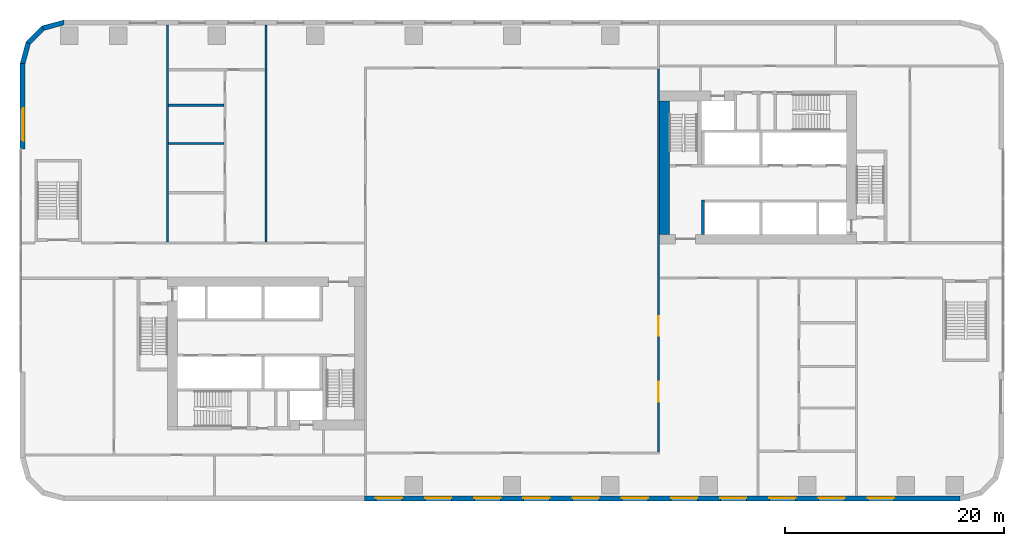
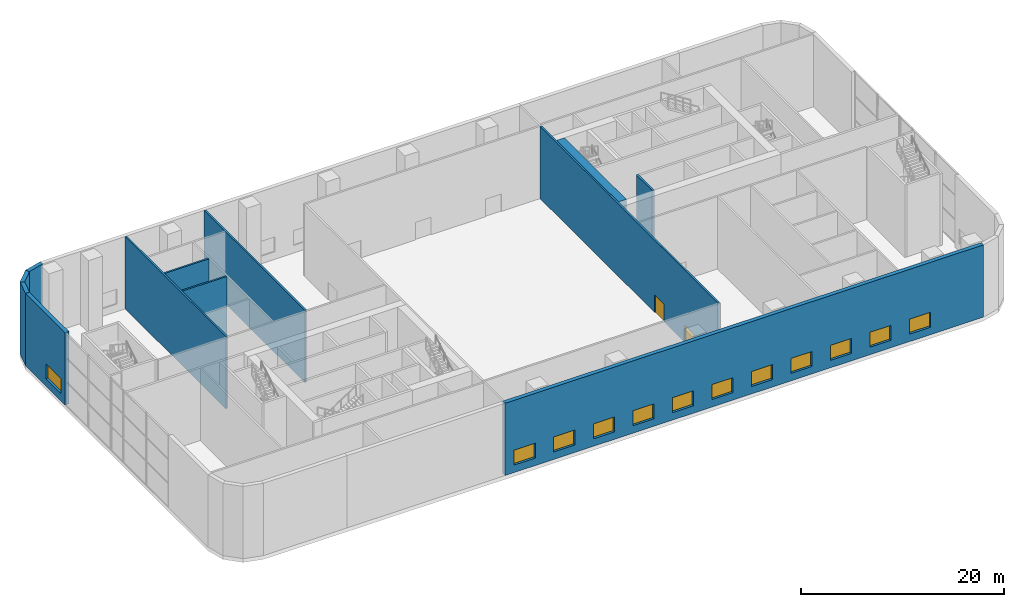
# One storey, part 8 of 24: 12 walls, 12 windows, 2 doors, 14 openings.
"""IFC4 building model written with IfcOpenShell, lengths in metres."""

from ifc_helpers import new_model, si_unit, direction, frame, frame_2d, origin, place, context, subcontext, project, spatial, polyline, rectangle, outline, extrude, material, layer, layer_set, type_object, element, fill, save


model = new_model("IFC4")

# Units and contexts
model_context = context("Model", 3, precision=1e-05, world=origin(), true_north=direction((0.0, 1.0)))
body_context = subcontext(model_context, "Body", "Model", "MODEL_VIEW")
ifc_project = project(units=[si_unit("LENGTHUNIT", "METRE"), si_unit("AREAUNIT", "SQUARE_METRE"), si_unit("VOLUMEUNIT", "CUBIC_METRE"), si_unit("PLANEANGLEUNIT", "RADIAN"), si_unit("MASSUNIT", "GRAM", prefix="KILO")], contexts=[model_context])

# Site, building, storey
site_placement = place(None, origin())
site = spatial("IfcSite", under=ifc_project, at=site_placement, CompositionType="ELEMENT")
building_placement = place(site_placement, origin())
building = spatial("IfcBuilding", under=site, at=building_placement, Name="Kajstack Hotel Tower", CompositionType="ELEMENT")
storey_placement = place(building_placement, frame((0.0, 0.0, 38.0)))
storey = spatial("IfcBuildingStorey", under=building, at=storey_placement, Name="L06", CompositionType="ELEMENT", Elevation=38.0)

# Wall
ifc_material_1 = material(Name="Concrete C60/75", Category="concrete")
ifc_layer_1 = layer(ifc_material_1, 0.89990234375)
ifc_layer_set_1 = layer_set([ifc_layer_1], Name="Core wall 900")
wall_type_1 = type_object("IfcWallType", Name="Core wall 900", PredefinedType="SHEAR", material=ifc_layer_set_1)
wall_1_placement = place(storey_placement, frame((13.949951171875, 2.39990234375, 0.0), z_axis=(0.0, 0.0, 1.0), x_axis=(0.0, 1.0, 0.0)))
element("IfcWall", 1, at=wall_1_placement, inside=storey, type_object=wall_type_1, Name="Core wall E RE", PredefinedType="SHEAR", context=body_context, shape_type="SweptSolid", body=[
    extrude(rectangle(XDim=12.2001953125, YDim=0.89990234375, at=frame_2d((6.10009765625, 0.0))), origin(), (0.0, 0.0, 1.0), 8.699951171875),
])

# Wall, openings, windows
ifc_material_2 = material(Name="Terracotta-faced brick masonry", Category="masonry")
ifc_layer_2 = layer(ifc_material_2, 0.449951171875)
ifc_layer_set_2 = layer_set([ifc_layer_2], Name="EW-TERRA")
wall_type_2 = type_object("IfcWallType", Name="EW-TERRA", PredefinedType="SOLIDWALL", material=ifc_layer_set_2)
wall_2_placement = place(storey_placement, frame((-13.5, -21.77490234375, 0.0), z_axis=(0.0, 0.0, 1.0), x_axis=(1.0, 0.0, 0.0)))
wall_2 = element("IfcWall", 2, at=wall_2_placement, inside=storey, type_object=wall_type_2, Name="E-wall-L06-03-02", PredefinedType="SOLIDWALL", context=body_context, shape_type="SweptSolid", body=[
    extrude(rectangle(XDim=54.5, YDim=0.449951171875, at=frame_2d((27.25, 0.0))), origin(), (0.0, 0.0, 1.0), 8.699951171875),
])
opening_1_placement = place(wall_2_placement, frame((1.050048828125, 0.0, 0.89990234375)))
opening_1 = element("IfcOpeningElement", 3, at=opening_1_placement, cuts=wall_2, Name="Opening W4", PredefinedType="OPENING", context=body_context, shape_type="SweptSolid", body=[
    extrude(rectangle(XDim=2.39990234375, YDim=1.800048828125, at=frame_2d((1.199951171875, 0.89990234375))), frame((0.0, 0.23486328125, 0.0), z_axis=(0.0, -1.0, 0.0), x_axis=(1.0, 0.0, 0.0)), (0.0, 0.0, 1.0), 0.469970703125),
])
opening_2_placement = place(wall_2_placement, frame((5.550048828125, 0.0, 0.89990234375)))
opening_2 = element("IfcOpeningElement", 4, at=opening_2_placement, cuts=wall_2, Name="Opening W4", PredefinedType="OPENING", context=body_context, shape_type="SweptSolid", body=[
    extrude(rectangle(XDim=2.39990234375, YDim=1.800048828125, at=frame_2d((1.199951171875, 0.89990234375))), frame((0.0, 0.23486328125, 0.0), z_axis=(0.0, -1.0, 0.0), x_axis=(1.0, 0.0, 0.0)), (0.0, 0.0, 1.0), 0.469970703125),
])
opening_3_placement = place(wall_2_placement, frame((10.050048828125, 0.0, 0.89990234375)))
opening_3 = element("IfcOpeningElement", 5, at=opening_3_placement, cuts=wall_2, Name="Opening W4", PredefinedType="OPENING", context=body_context, shape_type="SweptSolid", body=[
    extrude(rectangle(XDim=2.39990234375, YDim=1.800048828125, at=frame_2d((1.199951171875, 0.89990234375))), frame((0.0, 0.23486328125, 0.0), z_axis=(0.0, -1.0, 0.0), x_axis=(1.0, 0.0, 0.0)), (0.0, 0.0, 1.0), 0.469970703125),
])
opening_4_placement = place(wall_2_placement, frame((14.550048828125, 0.0, 0.89990234375)))
opening_4 = element("IfcOpeningElement", 6, at=opening_4_placement, cuts=wall_2, Name="Opening W4", PredefinedType="OPENING", context=body_context, shape_type="SweptSolid", body=[
    extrude(rectangle(XDim=2.39990234375, YDim=1.800048828125, at=frame_2d((1.199951171875, 0.89990234375))), frame((0.0, 0.23486328125, 0.0), z_axis=(0.0, -1.0, 0.0), x_axis=(1.0, 0.0, 0.0)), (0.0, 0.0, 1.0), 0.469970703125),
])
opening_5_placement = place(wall_2_placement, frame((19.050048828125, 0.0, 0.89990234375)))
opening_5 = element("IfcOpeningElement", 7, at=opening_5_placement, cuts=wall_2, Name="Opening W4", PredefinedType="OPENING", context=body_context, shape_type="SweptSolid", body=[
    extrude(rectangle(XDim=2.39990234375, YDim=1.800048828125, at=frame_2d((1.199951171875, 0.89990234375))), frame((0.0, 0.23486328125, 0.0), z_axis=(0.0, -1.0, 0.0), x_axis=(1.0, 0.0, 0.0)), (0.0, 0.0, 1.0), 0.469970703125),
])
opening_6_placement = place(wall_2_placement, frame((23.550048828125, 0.0, 0.89990234375)))
opening_6 = element("IfcOpeningElement", 8, at=opening_6_placement, cuts=wall_2, Name="Opening W4", PredefinedType="OPENING", context=body_context, shape_type="SweptSolid", body=[
    extrude(rectangle(XDim=2.39990234375, YDim=1.800048828125, at=frame_2d((1.199951171875, 0.89990234375))), frame((0.0, 0.23486328125, 0.0), z_axis=(0.0, -1.0, 0.0), x_axis=(1.0, 0.0, 0.0)), (0.0, 0.0, 1.0), 0.469970703125),
])
opening_7_placement = place(wall_2_placement, frame((28.050048828125, 0.0, 0.89990234375)))
opening_7 = element("IfcOpeningElement", 9, at=opening_7_placement, cuts=wall_2, Name="Opening W4", PredefinedType="OPENING", context=body_context, shape_type="SweptSolid", body=[
    extrude(rectangle(XDim=2.39990234375, YDim=1.800048828125, at=frame_2d((1.199951171875, 0.89990234375))), frame((0.0, 0.23486328125, 0.0), z_axis=(0.0, -1.0, 0.0), x_axis=(1.0, 0.0, 0.0)), (0.0, 0.0, 1.0), 0.469970703125),
])
opening_8_placement = place(wall_2_placement, frame((32.550048828125, 0.0, 0.89990234375)))
opening_8 = element("IfcOpeningElement", 10, at=opening_8_placement, cuts=wall_2, Name="Opening W4", PredefinedType="OPENING", context=body_context, shape_type="SweptSolid", body=[
    extrude(rectangle(XDim=2.39990234375, YDim=1.800048828125, at=frame_2d((1.199951171875, 0.89990234375))), frame((0.0, 0.23486328125, 0.0), z_axis=(0.0, -1.0, 0.0), x_axis=(1.0, 0.0, 0.0)), (0.0, 0.0, 1.0), 0.469970703125),
])
opening_9_placement = place(wall_2_placement, frame((37.050048828125, 0.0, 0.89990234375)))
opening_9 = element("IfcOpeningElement", 11, at=opening_9_placement, cuts=wall_2, Name="Opening W4", PredefinedType="OPENING", context=body_context, shape_type="SweptSolid", body=[
    extrude(rectangle(XDim=2.39990234375, YDim=1.800048828125, at=frame_2d((1.199951171875, 0.89990234375))), frame((0.0, 0.23486328125, 0.0), z_axis=(0.0, -1.0, 0.0), x_axis=(1.0, 0.0, 0.0)), (0.0, 0.0, 1.0), 0.469970703125),
])
opening_10_placement = place(wall_2_placement, frame((41.550048828125, 0.0, 0.89990234375)))
opening_10 = element("IfcOpeningElement", 12, at=opening_10_placement, cuts=wall_2, Name="Opening W4", PredefinedType="OPENING", context=body_context, shape_type="SweptSolid", body=[
    extrude(rectangle(XDim=2.39990234375, YDim=1.800048828125, at=frame_2d((1.199951171875, 0.89990234375))), frame((0.0, 0.23486328125, 0.0), z_axis=(0.0, -1.0, 0.0), x_axis=(1.0, 0.0, 0.0)), (0.0, 0.0, 1.0), 0.469970703125),
])
opening_11_placement = place(wall_2_placement, frame((46.050048828125, 0.0, 0.89990234375)))
opening_11 = element("IfcOpeningElement", 13, at=opening_11_placement, cuts=wall_2, Name="Opening W4", PredefinedType="OPENING", context=body_context, shape_type="SweptSolid", body=[
    extrude(rectangle(XDim=2.39990234375, YDim=1.800048828125, at=frame_2d((1.199951171875, 0.89990234375))), frame((0.0, 0.23486328125, 0.0), z_axis=(0.0, -1.0, 0.0), x_axis=(1.0, 0.0, 0.0)), (0.0, 0.0, 1.0), 0.469970703125),
])
ifc_material_3 = material(Name="Timber-aluminium window, triple glazed", Category="wood")
window_type_1 = type_object("IfcWindowType", Name="WP1", PartitioningType="SINGLE_PANEL", PredefinedType="WINDOW", material=ifc_material_3)
window_1_placement = place(opening_1_placement, origin())
window_1 = element("IfcWindow", 14, at=window_1_placement, inside=storey, type_object=window_type_1, Name="Window W4 L06-03", OverallHeight=1.800048828125, OverallWidth=2.39990234375, PartitioningType="SINGLE_PANEL", PredefinedType="WINDOW", context=body_context, shape_type="SweptSolid", body=[
    extrude(rectangle(XDim=2.39990234375, YDim=1.800048828125, at=frame_2d((1.199951171875, 0.89990234375))), frame((0.0, 0.090087890625, 0.0), z_axis=(0.0, -1.0, 0.0), x_axis=(1.0, 0.0, 0.0)), (0.0, 0.0, 1.0), 0.06005859375),
])
fill(opening_1, window_1)
window_2_placement = place(opening_2_placement, origin())
window_2 = element("IfcWindow", 15, at=window_2_placement, inside=storey, type_object=window_type_1, Name="Window W4 L06-03", OverallHeight=1.800048828125, OverallWidth=2.39990234375, PartitioningType="SINGLE_PANEL", PredefinedType="WINDOW", context=body_context, shape_type="SweptSolid", body=[
    extrude(rectangle(XDim=2.39990234375, YDim=1.800048828125, at=frame_2d((1.199951171875, 0.89990234375))), frame((0.0, 0.090087890625, 0.0), z_axis=(0.0, -1.0, 0.0), x_axis=(1.0, 0.0, 0.0)), (0.0, 0.0, 1.0), 0.06005859375),
])
fill(opening_2, window_2)
window_3_placement = place(opening_3_placement, origin())
window_3 = element("IfcWindow", 16, at=window_3_placement, inside=storey, type_object=window_type_1, Name="Window W4 L06-03", OverallHeight=1.800048828125, OverallWidth=2.39990234375, PartitioningType="SINGLE_PANEL", PredefinedType="WINDOW", context=body_context, shape_type="SweptSolid", body=[
    extrude(rectangle(XDim=2.39990234375, YDim=1.800048828125, at=frame_2d((1.199951171875, 0.89990234375))), frame((0.0, 0.090087890625, 0.0), z_axis=(0.0, -1.0, 0.0), x_axis=(1.0, 0.0, 0.0)), (0.0, 0.0, 1.0), 0.06005859375),
])
fill(opening_3, window_3)
window_4_placement = place(opening_4_placement, origin())
window_4 = element("IfcWindow", 17, at=window_4_placement, inside=storey, type_object=window_type_1, Name="Window W4 L06-03", OverallHeight=1.800048828125, OverallWidth=2.39990234375, PartitioningType="SINGLE_PANEL", PredefinedType="WINDOW", context=body_context, shape_type="SweptSolid", body=[
    extrude(rectangle(XDim=2.39990234375, YDim=1.800048828125, at=frame_2d((1.199951171875, 0.89990234375))), frame((0.0, 0.090087890625, 0.0), z_axis=(0.0, -1.0, 0.0), x_axis=(1.0, 0.0, 0.0)), (0.0, 0.0, 1.0), 0.06005859375),
])
fill(opening_4, window_4)
window_5_placement = place(opening_5_placement, origin())
window_5 = element("IfcWindow", 18, at=window_5_placement, inside=storey, type_object=window_type_1, Name="Window W4 L06-03", OverallHeight=1.800048828125, OverallWidth=2.39990234375, PartitioningType="SINGLE_PANEL", PredefinedType="WINDOW", context=body_context, shape_type="SweptSolid", body=[
    extrude(rectangle(XDim=2.39990234375, YDim=1.800048828125, at=frame_2d((1.199951171875, 0.89990234375))), frame((0.0, 0.090087890625, 0.0), z_axis=(0.0, -1.0, 0.0), x_axis=(1.0, 0.0, 0.0)), (0.0, 0.0, 1.0), 0.06005859375),
])
fill(opening_5, window_5)
window_6_placement = place(opening_6_placement, origin())
window_6 = element("IfcWindow", 19, at=window_6_placement, inside=storey, type_object=window_type_1, Name="Window W4 L06-03", OverallHeight=1.800048828125, OverallWidth=2.39990234375, PartitioningType="SINGLE_PANEL", PredefinedType="WINDOW", context=body_context, shape_type="SweptSolid", body=[
    extrude(rectangle(XDim=2.39990234375, YDim=1.800048828125, at=frame_2d((1.199951171875, 0.89990234375))), frame((0.0, 0.090087890625, 0.0), z_axis=(0.0, -1.0, 0.0), x_axis=(1.0, 0.0, 0.0)), (0.0, 0.0, 1.0), 0.06005859375),
])
fill(opening_6, window_6)
window_7_placement = place(opening_7_placement, origin())
window_7 = element("IfcWindow", 20, at=window_7_placement, inside=storey, type_object=window_type_1, Name="Window W4 L06-03", OverallHeight=1.800048828125, OverallWidth=2.39990234375, PartitioningType="SINGLE_PANEL", PredefinedType="WINDOW", context=body_context, shape_type="SweptSolid", body=[
    extrude(rectangle(XDim=2.39990234375, YDim=1.800048828125, at=frame_2d((1.199951171875, 0.89990234375))), frame((0.0, 0.090087890625, 0.0), z_axis=(0.0, -1.0, 0.0), x_axis=(1.0, 0.0, 0.0)), (0.0, 0.0, 1.0), 0.06005859375),
])
fill(opening_7, window_7)
window_8_placement = place(opening_8_placement, origin())
window_8 = element("IfcWindow", 21, at=window_8_placement, inside=storey, type_object=window_type_1, Name="Window W4 L06-03", OverallHeight=1.800048828125, OverallWidth=2.39990234375, PartitioningType="SINGLE_PANEL", PredefinedType="WINDOW", context=body_context, shape_type="SweptSolid", body=[
    extrude(rectangle(XDim=2.39990234375, YDim=1.800048828125, at=frame_2d((1.199951171875, 0.89990234375))), frame((0.0, 0.090087890625, 0.0), z_axis=(0.0, -1.0, 0.0), x_axis=(1.0, 0.0, 0.0)), (0.0, 0.0, 1.0), 0.06005859375),
])
fill(opening_8, window_8)
window_9_placement = place(opening_9_placement, origin())
window_9 = element("IfcWindow", 22, at=window_9_placement, inside=storey, type_object=window_type_1, Name="Window W4 L06-03", OverallHeight=1.800048828125, OverallWidth=2.39990234375, PartitioningType="SINGLE_PANEL", PredefinedType="WINDOW", context=body_context, shape_type="SweptSolid", body=[
    extrude(rectangle(XDim=2.39990234375, YDim=1.800048828125, at=frame_2d((1.199951171875, 0.89990234375))), frame((0.0, 0.090087890625, 0.0), z_axis=(0.0, -1.0, 0.0), x_axis=(1.0, 0.0, 0.0)), (0.0, 0.0, 1.0), 0.06005859375),
])
fill(opening_9, window_9)
window_10_placement = place(opening_10_placement, origin())
window_10 = element("IfcWindow", 23, at=window_10_placement, inside=storey, type_object=window_type_1, Name="Window W4 L06-03", OverallHeight=1.800048828125, OverallWidth=2.39990234375, PartitioningType="SINGLE_PANEL", PredefinedType="WINDOW", context=body_context, shape_type="SweptSolid", body=[
    extrude(rectangle(XDim=2.39990234375, YDim=1.800048828125, at=frame_2d((1.199951171875, 0.89990234375))), frame((0.0, 0.090087890625, 0.0), z_axis=(0.0, -1.0, 0.0), x_axis=(1.0, 0.0, 0.0)), (0.0, 0.0, 1.0), 0.06005859375),
])
fill(opening_10, window_10)
window_11_placement = place(opening_11_placement, origin())
window_11 = element("IfcWindow", 24, at=window_11_placement, inside=storey, type_object=window_type_1, Name="Window W4 L06-03", OverallHeight=1.800048828125, OverallWidth=2.39990234375, PartitioningType="SINGLE_PANEL", PredefinedType="WINDOW", context=body_context, shape_type="SweptSolid", body=[
    extrude(rectangle(XDim=2.39990234375, YDim=1.800048828125, at=frame_2d((1.199951171875, 0.89990234375))), frame((0.0, 0.090087890625, 0.0), z_axis=(0.0, -1.0, 0.0), x_axis=(1.0, 0.0, 0.0)), (0.0, 0.0, 1.0), 0.06005859375),
])
fill(opening_11, window_11)

# Walls
wall_3_placement = place(storey_placement, frame((-40.941650390625, 21.78271484375, 0.0), z_axis=(0.0, 0.0, 1.0), x_axis=(-0.965926999034, -0.25881466832, 0.0)))
element("IfcWall", 25, at=wall_3_placement, inside=storey, type_object=wall_type_2, Name="E-wall-L06-12-00", PredefinedType="SOLIDWALL", context=body_context, shape_type="SweptSolid", body=[
    extrude(outline(polyline([(0.000244140625, -0.22509765625), (2.070556640625, -0.224853515625), (1.9501953125, 0.22509765625), (0.12060546875, 0.22509765625), (0.000244140625, -0.22509765625)])), origin(), (0.0, 0.0, 1.0), 8.699951171875),
])
wall_4_placement = place(storey_placement, frame((-42.8408203125, 21.304931640625, 0.0), z_axis=(0.0, 0.0, 1.0), x_axis=(-0.707106781187, -0.707106781187, 0.0)))
element("IfcWall", 26, at=wall_4_placement, inside=storey, type_object=wall_type_2, Name="E-wall-L06-13-00", PredefinedType="SOLIDWALL", context=body_context, shape_type="SweptSolid", body=[
    extrude(outline(polyline([(0.0, -0.22509765625), (2.070556640625, -0.22509765625), (1.949951171875, 0.224853515625), (0.12060546875, 0.224853515625), (0.0, -0.22509765625)])), origin(), (0.0, 0.0, 1.0), 8.699951171875),
])
wall_5_placement = place(storey_placement, frame((-44.246826171875, 19.941650390625, 0.0), z_axis=(0.0, 0.0, 1.0), x_axis=(-0.25881466832, -0.965926999034, 0.0)))
element("IfcWall", 27, at=wall_5_placement, inside=storey, type_object=wall_type_2, Name="E-wall-L06-14-00", PredefinedType="SOLIDWALL", context=body_context, shape_type="SweptSolid", body=[
    extrude(outline(polyline([(-0.000244140625, -0.224853515625), (2.0703125, -0.22509765625), (1.949951171875, 0.22509765625), (0.120361328125, 0.22509765625), (-0.000244140625, -0.224853515625)])), origin(), (0.0, 0.0, 1.0), 8.699951171875),
])

# Wall, opening, window
wall_6_placement = place(storey_placement, frame((-44.77490234375, 18.0, 0.0), z_axis=(0.0, 0.0, 1.0), x_axis=(0.0, -1.0, 0.0)))
wall_6 = element("IfcWall", 28, at=wall_6_placement, inside=storey, type_object=wall_type_2, Name="E-wall-L06-15-00", PredefinedType="SOLIDWALL", context=body_context, shape_type="SweptSolid", body=[
    extrude(rectangle(XDim=7.800048828125, YDim=0.449951171875, at=frame_2d((3.89990234375, 0.0))), origin(), (0.0, 0.0, 1.0), 8.699951171875),
])
opening_12_placement = place(wall_6_placement, frame((4.050048828125, 0.0, 0.89990234375)))
opening_12 = element("IfcOpeningElement", 29, at=opening_12_placement, cuts=wall_6, Name="Opening W5", PredefinedType="OPENING", context=body_context, shape_type="SweptSolid", body=[
    extrude(rectangle(XDim=3.0, YDim=1.800048828125, at=frame_2d((1.5, 0.89990234375))), frame((0.0, 0.23486328125, 0.0), z_axis=(0.0, -1.0, 0.0), x_axis=(1.0, 0.0, 0.0)), (0.0, 0.0, 1.0), 0.469970703125),
])
window_type_2 = type_object("IfcWindowType", Name="WP2", PartitioningType="SINGLE_PANEL", PredefinedType="WINDOW", material=ifc_material_3)
window_12_placement = place(opening_12_placement, origin())
window_12 = element("IfcWindow", 30, at=window_12_placement, inside=storey, type_object=window_type_2, Name="Window W5 L06-15", OverallHeight=1.800048828125, OverallWidth=3.0, PartitioningType="SINGLE_PANEL", PredefinedType="WINDOW", context=body_context, shape_type="SweptSolid", body=[
    extrude(rectangle(XDim=3.0, YDim=1.800048828125, at=frame_2d((1.5, 0.89990234375))), frame((0.0, 0.090087890625, 0.0), z_axis=(0.0, -1.0, 0.0), x_axis=(1.0, 0.0, 0.0)), (0.0, 0.0, 1.0), 0.06005859375),
])
fill(opening_12, window_12)

# Walls
ifc_material_4 = material(Name="Gypsum board on steel studs, mineral wool", Category="steel")
ifc_layer_3 = layer(ifc_material_4, 0.199951171875)
ifc_layer_set_3 = layer_set([ifc_layer_3], Name="Public partition 200")
wall_type_3 = type_object("IfcWallType", Name="Public partition 200", PredefinedType="PARTITIONING", material=ifc_layer_set_3)
wall_7_placement = place(storey_placement, frame((-22.5, 1.699951171875, 0.0), z_axis=(0.0, 0.0, 1.0), x_axis=(0.0, 1.0, 0.0)))
element("IfcWall", 31, at=wall_7_placement, inside=storey, type_object=wall_type_3, Name="Partition PX0", PredefinedType="PARTITIONING", context=body_context, shape_type="SweptSolid", body=[
    extrude(rectangle(XDim=19.85009765625, YDim=0.199951171875, at=frame_2d((9.925048828125, 0.0))), origin(), (0.0, 0.0, 1.0), 8.699951171875),
])
for number, where, z_axis, x_axis, name in (
    (32, (-31.39990234375, 10.699951171875, 0.0), (0.0, 0.0, 1.0), (1.0, 0.0, 0.0), "Partition C1wP1"),
    (33, (-31.39990234375, 14.199951171875, 0.0), (0.0, 0.0, 1.0), (1.0, 0.0, 0.0), "Partition C1wP2"),
):
    element("IfcWall", number, at=place(storey_placement, frame(where, z_axis=z_axis, x_axis=x_axis)), inside=storey, type_object=wall_type_3, Name=name, PredefinedType="PARTITIONING", context=body_context, shape_type="SweptSolid", body=[
        extrude(rectangle(XDim=5.0498046875, YDim=0.199951171875, at=frame_2d((2.52490234375, 0.0))), origin(), (0.0, 0.0, 1.0), 8.699951171875),
    ])
wall_8_placement = place(storey_placement, frame((-31.5, 1.699951171875, 0.0), z_axis=(0.0, 0.0, 1.0), x_axis=(0.0, 1.0, 0.0)))
element("IfcWall", 34, at=wall_8_placement, inside=storey, type_object=wall_type_3, Name="Partition PX1", PredefinedType="PARTITIONING", context=body_context, shape_type="SweptSolid", body=[
    extrude(rectangle(XDim=19.85009765625, YDim=0.199951171875, at=frame_2d((9.925048828125, 0.0))), origin(), (0.0, 0.0, 1.0), 8.699951171875),
])

# Wall, openings, doors
wall_9_placement = place(storey_placement, frame((13.39990234375, -17.5, 0.0), z_axis=(0.0, 0.0, 1.0), x_axis=(0.0, 1.0, 0.0)))
wall_9 = element("IfcWall", 35, at=wall_9_placement, inside=storey, type_object=wall_type_3, Name="Partition BWE", PredefinedType="PARTITIONING", context=body_context, shape_type="SweptSolid", body=[
    extrude(rectangle(XDim=35.0, YDim=0.199951171875, at=frame_2d((17.5, 0.0))), origin(), (0.0, 0.0, 1.0), 8.699951171875),
])
opening_13_placement = place(wall_9_placement, frame((10.60009765625, 0.0, 0.0)))
opening_13 = element("IfcOpeningElement", 36, at=opening_13_placement, cuts=wall_9, Name="Opening 06P19", PredefinedType="OPENING", context=body_context, shape_type="SweptSolid", body=[
    extrude(rectangle(XDim=1.800048828125, YDim=2.10009765625, at=frame_2d((0.89990234375, 1.050048828125))), frame((0.0, 0.10986328125, 0.0), z_axis=(0.0, -1.0, 0.0), x_axis=(1.0, 0.0, 0.0)), (0.0, 0.0, 1.0), 0.219970703125),
])
opening_14_placement = place(wall_9_placement, frame((4.60009765625, 0.0, 0.0)))
opening_14 = element("IfcOpeningElement", 37, at=opening_14_placement, cuts=wall_9, Name="Opening 06P20", PredefinedType="OPENING", context=body_context, shape_type="SweptSolid", body=[
    extrude(rectangle(XDim=1.800048828125, YDim=2.10009765625, at=frame_2d((0.89990234375, 1.050048828125))), frame((0.0, 0.10986328125, 0.0), z_axis=(0.0, -1.0, 0.0), x_axis=(1.0, 0.0, 0.0)), (0.0, 0.0, 1.0), 0.219970703125),
])
ifc_material_5 = material(Name="Glazed timber frame, fire-rated glass", Category="wood")
door_type = type_object("IfcDoorType", Name="Public double door 1800", OperationType="DOUBLE_DOOR_DOUBLE_SWING", PredefinedType="DOOR", material=ifc_material_5)
door_1_placement = place(opening_13_placement, origin())
door_1 = element("IfcDoor", 38, at=door_1_placement, inside=storey, type_object=door_type, Name="Door 06P19", OperationType="DOUBLE_DOOR_DOUBLE_SWING", OverallHeight=2.10009765625, OverallWidth=1.800048828125, PredefinedType="DOOR", context=body_context, shape_type="SweptSolid", body=[
    extrude(rectangle(XDim=1.800048828125, YDim=2.10009765625, at=frame_2d((0.89990234375, 1.050048828125))), frame((0.0, 0.02490234375, 0.0), z_axis=(0.0, -1.0, 0.0), x_axis=(1.0, 0.0, 0.0)), (0.0, 0.0, 1.0), 0.050048828125),
])
fill(opening_13, door_1)
door_2_placement = place(opening_14_placement, origin())
door_2 = element("IfcDoor", 39, at=door_2_placement, inside=storey, type_object=door_type, Name="Door 06P20", OperationType="DOUBLE_DOOR_DOUBLE_SWING", OverallHeight=2.10009765625, OverallWidth=1.800048828125, PredefinedType="DOOR", context=body_context, shape_type="SweptSolid", body=[
    extrude(rectangle(XDim=1.800048828125, YDim=2.10009765625, at=frame_2d((0.89990234375, 1.050048828125))), frame((0.0, 0.02490234375, 0.0), z_axis=(0.0, -1.0, 0.0), x_axis=(1.0, 0.0, 0.0)), (0.0, 0.0, 1.0), 0.050048828125),
])
fill(opening_14, door_2)

# Wall
ifc_material_6 = material(Name="Concrete C50/60", Category="concrete")
ifc_layer_4 = layer(ifc_material_6, 0.25)
ifc_layer_set_4 = layer_set([ifc_layer_4], Name="Shaft wall 250")
wall_type_4 = type_object("IfcWallType", Name="Shaft wall 250", PredefinedType="SHEAR", material=ifc_layer_set_4)
wall_10_placement = place(storey_placement, frame((17.47509765625, 2.39990234375, 0.0), z_axis=(0.0, 0.0, 1.0), x_axis=(0.0, 1.0, 0.0)))
element("IfcWall", 40, at=wall_10_placement, inside=storey, type_object=wall_type_4, Name="Core wall E AE", PredefinedType="SHEAR", context=body_context, shape_type="SweptSolid", body=[
    extrude(rectangle(XDim=3.150146484375, YDim=0.25, at=frame_2d((1.5751953125, 0.0))), origin(), (0.0, 0.0, 1.0), 8.699951171875),
])

save(model, "model.ifc")
